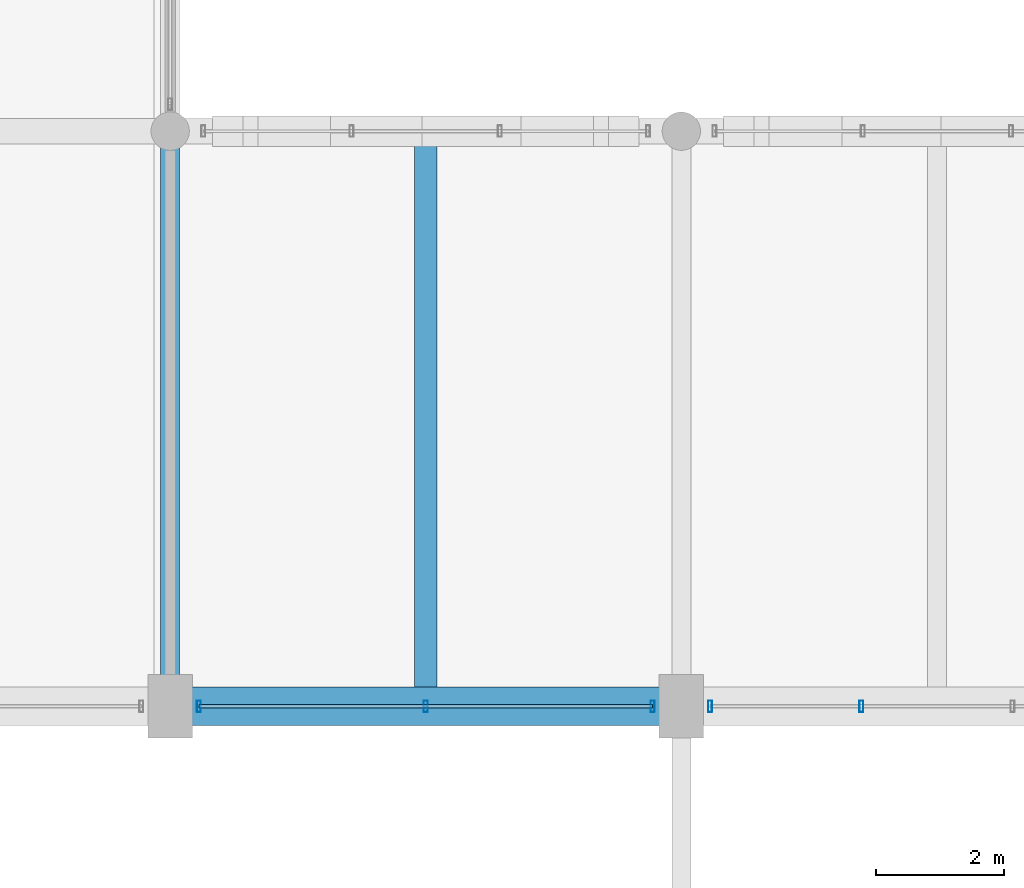
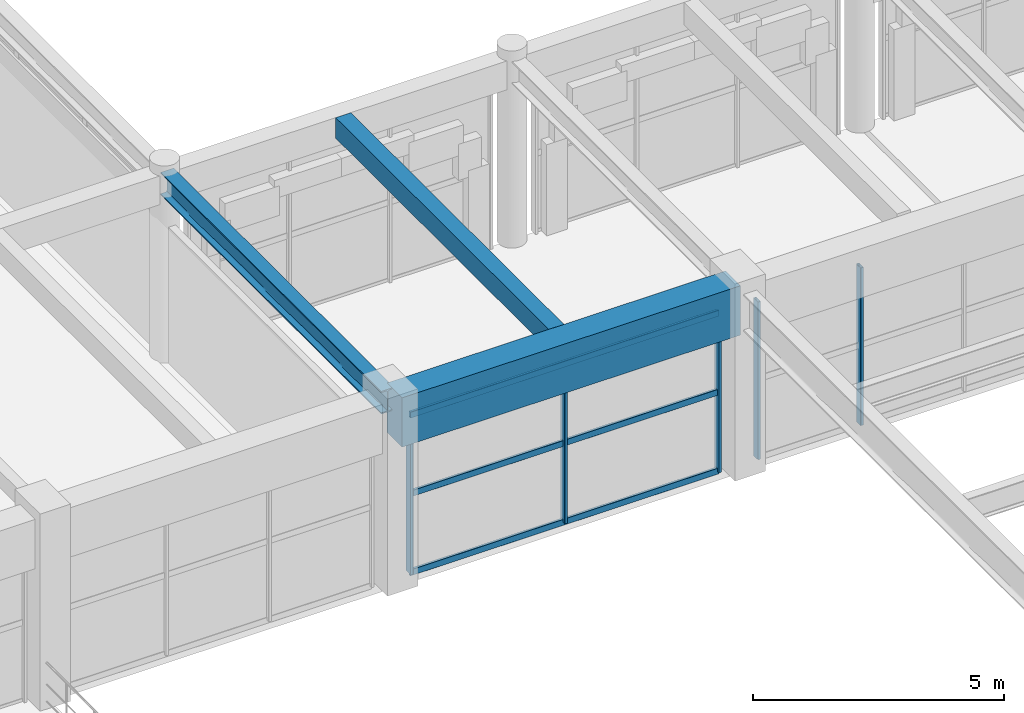
# One storey, part 44 of 144: 8 members, 3 beams, 2 elements without a shape of their own.
"""IFC4 building model written with IfcOpenShell, lengths in metres."""

import ifcopenshell
import ifcopenshell.guid

model = None  # the IFC model being written
_history = None  # IfcOwnerHistory: only IFC2X3 demands one
_inside = {}  # id of a spatial element -> (the spatial element, [elements in it])
_under = {}  # id of a project, library or spatial element -> (it, [spatial elements below it])
_declared = {}  # id of a project -> (the project, [libraries it declares])
_typed = {}  # id of a type object -> (the type object, [elements of that type])
_made_of = {}  # id of a material, layer set ... -> (it, [elements and type objects made of it])


def new_model(schema):
    """Start an empty IFC model of exactly this schema.

    Asked for "IFC4X3", IfcOpenShell would pick the latest addendum, in which some entities
    have other attributes; the version numbers below select the first issue.
    IFC2X3 requires an IfcOwnerHistory on every rooted entity: one is made here for all.
    """
    global model, _history
    if schema == "IFC4X3":
        model = ifcopenshell.file(schema_version=(4, 3, 0, 0))
    else:
        model = ifcopenshell.file(schema=schema)
    _inside.clear()
    _under.clear()
    _declared.clear()
    _typed.clear()
    _made_of.clear()
    _history = None
    if model.schema == "IFC2X3":
        org = make("IfcOrganization", Name="unknown")
        user = make(
            "IfcPersonAndOrganization",
            ThePerson=make("IfcPerson", FamilyName="unknown"),
            TheOrganization=org,
        )
        app = make(
            "IfcApplication",
            ApplicationDeveloper=org,
            Version="unknown",
            ApplicationFullName="unknown",
            ApplicationIdentifier="unknown",
        )
        _history = make(
            "IfcOwnerHistory",
            OwningUser=user,
            OwningApplication=app,
            ChangeAction="ADDED",
            CreationDate=0,
        )
    return model


def make(cls, **values):
    """One entity of the class cls with the attributes given. An attribute that is None is left unset."""
    return model.create_entity(
        cls, **{name: value for name, value in values.items() if value is not None}
    )


def rooted(cls, **values):
    """An entity with a GlobalId (a new one), such as an element, a storey or a relation."""
    return make(cls, GlobalId=ifcopenshell.guid.new(), OwnerHistory=_history, **values)


def si_unit(unit_type, name, prefix=None):
    """IfcSIUnit, for example si_unit("LENGTHUNIT", "METRE", prefix="MILLI")."""
    return make("IfcSIUnit", UnitType=unit_type, Prefix=prefix, Name=name)


def assignment(units):
    """IfcUnitAssignment: the units of a project."""
    return None if units is None else make("IfcUnitAssignment", Units=units)


def point(xyz):
    """IfcCartesianPoint."""
    return None if xyz is None else make("IfcCartesianPoint", Coordinates=xyz)


def direction(xyz):
    """IfcDirection."""
    return None if xyz is None else make("IfcDirection", DirectionRatios=xyz)


def frame(location, z_axis=None, x_axis=None):
    """IfcAxis2Placement3D, a coordinate frame: its origin and axes. An axis left out is left unset."""
    return make(
        "IfcAxis2Placement3D",
        Location=point(location),
        Axis=direction(z_axis),
        RefDirection=direction(x_axis),
    )


def frame_2d(location, x_axis=None):
    """IfcAxis2Placement2D, a coordinate frame in the plane: its origin and x axis."""
    return make(
        "IfcAxis2Placement2D", Location=point(location), RefDirection=direction(x_axis)
    )


def origin():
    """The frame at (0, 0, 0) with its axes left unset."""
    return frame((0.0, 0.0, 0.0))


def origin_2d():
    """The frame at (0, 0) in the plane with its x axis left unset."""
    return frame_2d((0.0, 0.0))


def place(relative_to, where):
    """IfcLocalPlacement: puts the frame where relative to a parent placement (None: the world)."""
    return make(
        "IfcLocalPlacement", PlacementRelTo=relative_to, RelativePlacement=where
    )


def context(
    kind, dimensions, precision=None, world=None, true_north=None, identifier=None
):
    """IfcGeometricRepresentationContext, for example the 3D "Model" context."""
    return make(
        "IfcGeometricRepresentationContext",
        ContextIdentifier=identifier,
        ContextType=kind,
        CoordinateSpaceDimension=dimensions,
        Precision=precision,
        WorldCoordinateSystem=world,
        TrueNorth=true_north,
    )


def subcontext(parent, identifier, kind, view, scale=None):
    """IfcGeometricRepresentationSubContext, for example "Body" below "Model"."""
    return make(
        "IfcGeometricRepresentationSubContext",
        ContextIdentifier=identifier,
        ContextType=kind,
        ParentContext=parent,
        TargetScale=scale,
        TargetView=view,
    )


def project(units=None, contexts=None):
    """IfcProject with its units and contexts."""
    return rooted(
        "IfcProject",
        Name="project",
        RepresentationContexts=contexts,
        UnitsInContext=assignment(units),
    )


def spatial(cls, under=None, at=None, **own):
    """A site, building, storey or space (cls), placed at a placement, below another one or the project."""
    s = rooted(cls, ObjectPlacement=at, **own)
    if under is not None:
        _under.setdefault(under.id(), (under, []))[1].append(s)
    return s


def profile(cls, at=None, kind="AREA", **sizes):
    """A parametric profile (cls). Its sizes go by their IFC names, for example OverallWidth=200.0."""
    return make(cls, ProfileType=kind, Position=at, **sizes)


def rectangle(**sizes):
    """IfcRectangleProfileDef."""
    return profile("IfcRectangleProfileDef", **sizes)


def hollow_rectangle(**sizes):
    """IfcRectangleHollowProfileDef."""
    return profile("IfcRectangleHollowProfileDef", **sizes)


def i_section(**sizes):
    """IfcIShapeProfileDef."""
    return profile("IfcIShapeProfileDef", **sizes)


def extrude(swept, where, along, depth):
    """IfcExtrudedAreaSolid: the profile swept, set in the frame where, extruded along a direction by depth."""
    return make(
        "IfcExtrudedAreaSolid",
        SweptArea=swept,
        Position=where,
        ExtrudedDirection=direction(along),
        Depth=depth,
    )


def shape(context_of_items, identifier, shape_type, items):
    """IfcShapeRepresentation: the items that make up one representation, for example the "Body"."""
    return make(
        "IfcShapeRepresentation",
        ContextOfItems=context_of_items,
        RepresentationIdentifier=identifier,
        RepresentationType=shape_type,
        Items=items,
    )


def material(Name=None, Category=None):
    """IfcMaterial."""
    return make("IfcMaterial", Name=Name, Category=Category)


def material_profile(
    of_material, cross_section, Name=None, Category=None, Priority=None
):
    """IfcMaterialProfile: a cross section and its material."""
    return make(
        "IfcMaterialProfile",
        Name=Name,
        Material=of_material,
        Profile=cross_section,
        Priority=Priority,
        Category=Category,
    )


def profile_set(profiles, Name=None, composite=None):
    """IfcMaterialProfileSet."""
    return make(
        "IfcMaterialProfileSet",
        Name=Name,
        MaterialProfiles=profiles,
        CompositeProfile=composite,
    )


def made_of(thing, what):
    """Note that an element or type object is made of a material, layer set ...; save() writes the relation."""
    if what is not None:
        _made_of.setdefault(what.id(), (what, []))[1].append(thing)
    return thing


def type_object(cls, material=None, **own):
    """A type object (cls), such as IfcWallType, which elements share."""
    return made_of(rooted(cls, **own), material)


def element(
    cls,
    number,
    at=None,
    inside=None,
    cuts=None,
    type_object=None,
    material=None,
    context=None,
    identifier="Body",
    shape_type=None,
    held_by="IfcProductDefinitionShape",
    body=None,
    shapes=None,
    **own,
):
    """One element of the class cls, such as IfcWall. Its Tag is "e" and its number.

    at: its placement. inside: the storey or other place that contains it. cuts: it is an
    opening in that element (IfcRelVoidsElement). A single representation is given by context,
    identifier, shape_type and body (its items); several are given by shapes. held_by: the class
    of the entity that holds the representations. save() writes the other relations.
    """
    e = rooted(cls, Tag="e%d" % number, ObjectPlacement=at, **own)
    if body is not None:
        shapes = [shape(context, identifier, shape_type, body)]
    if shapes is not None:
        e.Representation = make(held_by, Representations=shapes)
    if inside is not None:
        _inside.setdefault(inside.id(), (inside, []))[1].append(e)
    if cuts is not None:
        rooted(
            "IfcRelVoidsElement", RelatingBuildingElement=cuts, RelatedOpeningElement=e
        )
    if type_object is not None:
        _typed.setdefault(type_object.id(), (type_object, []))[1].append(e)
    return made_of(e, material)


def aggregate(whole, parts):
    """IfcRelAggregates: a whole, such as a stair, and the parts it consists of."""
    return rooted("IfcRelAggregates", RelatingObject=whole, RelatedObjects=parts)


def save(model, path):
    """Write the relations noted so far, then the file.

    IfcRelAggregates (storeys below a building ...), IfcRelContainedInSpatialStructure (elements
    in a storey), IfcRelDefinesByType, IfcRelAssociatesMaterial and IfcRelDeclares: one each for
    every whole, place, type object, material and project.
    """
    for whole, parts in _under.values():
        aggregate(whole, parts)
    for where, things in _inside.values():
        rooted(
            "IfcRelContainedInSpatialStructure",
            RelatedElements=things,
            RelatingStructure=where,
        )
    for kind, things in _typed.values():
        rooted("IfcRelDefinesByType", RelatedObjects=things, RelatingType=kind)
    for what, things in _made_of.values():
        rooted("IfcRelAssociatesMaterial", RelatedObjects=things, RelatingMaterial=what)
    for by, libraries in _declared.values():
        rooted("IfcRelDeclares", RelatingContext=by, RelatedDefinitions=libraries)
    model.write(path)


model = new_model("IFC4")

# Units and contexts
model_context = context("Model", 3, precision=1e-05, world=origin(), true_north=direction((0.0, 1.0)))
body_context = subcontext(model_context, "Body", "Model", "MODEL_VIEW")
ifc_project = project(units=[si_unit("LENGTHUNIT", "METRE"), si_unit("AREAUNIT", "SQUARE_METRE"), si_unit("VOLUMEUNIT", "CUBIC_METRE"), si_unit("PLANEANGLEUNIT", "RADIAN"), si_unit("MASSUNIT", "GRAM", prefix="KILO")], contexts=[model_context])

# Site, building, storey
site_placement = place(None, origin())
site = spatial("IfcSite", under=ifc_project, at=site_placement, CompositionType="ELEMENT")
building_placement = place(site_placement, origin())
building = spatial("IfcBuilding", under=site, at=building_placement, Name="Varnabhumi Central Station", CompositionType="ELEMENT")
storey_placement = place(building_placement, frame((0.0, 0.0, 4.800048828125)))
storey = spatial("IfcBuildingStorey", under=building, at=storey_placement, Name="L01", CompositionType="ELEMENT", Elevation=4.800048828125)

# Beams
ifc_material_1 = material(Name="Concrete M50", Category="concrete")
ifc_material_profile_1 = material_profile(ifc_material_1, rectangle(XDim=0.60009765625, YDim=1.199951171875, at=origin_2d()), Name="Concrete M50", Category="concrete")
ifc_profile_set_1 = profile_set([ifc_material_profile_1], Name="Concrete M50")
beam_type_1 = type_object("IfcBeamType", Name="BM-RC-1200x600", PredefinedType="BEAM", material=ifc_profile_set_1)
beam_1_placement = place(storey_placement, frame((48.10009765625, 80.0, 3.949951171875), z_axis=(1.0, 0.0, 0.0), x_axis=(0.0, 1.0, 0.0)))
element("IfcBeam", 1, at=beam_1_placement, inside=storey, type_object=beam_type_1, Name="Beam L01-K:7-8", PredefinedType="BEAM", context=body_context, shape_type="SweptSolid", body=[
    extrude(rectangle(XDim=0.60009765625, YDim=1.199951171875, at=origin_2d()), origin(), (0.0, 0.0, 1.0), 7.7998046875),
])
ifc_material_2 = material(Name="Concrete M40", Category="concrete")
ifc_material_profile_2 = material_profile(ifc_material_2, rectangle(XDim=0.35009765625, YDim=0.5, at=origin_2d()), Name="Concrete M40", Category="concrete")
ifc_profile_set_2 = profile_set([ifc_material_profile_2], Name="Concrete M40")
beam_type_2 = type_object("IfcBeamType", Name="BM-RC-350x500", PredefinedType="JOIST", material=ifc_profile_set_2)
beam_2_placement = place(storey_placement, frame((52.0, 80.300048828125, 4.300048828125), z_axis=(0.0, 1.0, 0.0), x_axis=(-1.0, 0.0, 0.0)))
element("IfcBeam", 2, at=beam_2_placement, inside=storey, type_object=beam_type_2, Name="Secondary Joist L01-7/8:K-L", PredefinedType="JOIST", context=body_context, shape_type="SweptSolid", body=[
    extrude(rectangle(XDim=0.35009765625, YDim=0.5, at=origin_2d()), origin(), (0.0, 0.0, 1.0), 8.5),
])
ifc_material_3 = material(Name="Structural steel E350", Category="steel")
ifc_material_profile_3 = material_profile(ifc_material_3, i_section(OverallWidth=0.300048828125, OverallDepth=0.550048828125, WebThickness=0.014892578125, FlangeThickness=0.029052734375, FilletRadius=0.027099609375, at=origin_2d()), Name="Structural steel E350", Category="steel")
ifc_profile_set_3 = profile_set([ifc_material_profile_3], Name="Structural steel E350")
beam_type_3 = type_object("IfcBeamType", Name="BM-STL-WPB550", PredefinedType="BEAM", material=ifc_profile_set_3)
beam_3_placement = place(storey_placement, frame((48.0, 80.10009765625, 4.27490234375), z_axis=(0.0, 1.0, 0.0), x_axis=(-1.0, 0.0, 0.0)))
element("IfcBeam", 3, at=beam_3_placement, inside=storey, type_object=beam_type_3, Name="Beam L01-7:K-L", PredefinedType="BEAM", context=body_context, shape_type="SweptSolid", body=[
    extrude(i_section(OverallWidth=0.300048828125, OverallDepth=0.550048828125, WebThickness=0.014892578125, FlangeThickness=0.029052734375, FilletRadius=0.027099609375, at=origin_2d()), origin(), (0.0, 0.0, 1.0), 8.7998046875),
])

# Curtain wall, members
ifc_material_4 = material(Name="Anodised aluminium 6063-T6", Category="aluminium")
curtain_wall_type_1 = type_object("IfcCurtainWallType", Name="CW-SPINE-SCREEN-L0", PredefinedType="NOTDEFINED", material=ifc_material_4)
curtain_wall_1_placement = place(storey_placement, origin())
curtain_wall_1 = element("IfcCurtainWall", 4, at=curtain_wall_1_placement, inside=storey, type_object=curtain_wall_type_1, Name="Curtain Wall CW-NS106", PredefinedType="NOTDEFINED")
ifc_material_profile_4 = material_profile(ifc_material_4, hollow_rectangle(XDim=0.06494140625, YDim=0.179931640625, WallThickness=0.00390625, InnerFilletRadius=0.001953125, OuterFilletRadius=0.006103515625, at=origin_2d()), Name="Anodised aluminium 6063-T6", Category="aluminium")
ifc_profile_set_4 = profile_set([ifc_material_profile_4], Name="Anodised aluminium 6063-T6")
member_type_1 = type_object("IfcMemberType", Name="CW-MUL-180", PredefinedType="MULLION", material=ifc_profile_set_4)
member_1_placement = place(storey_placement, frame((48.449951171875, 80.0, 0.0), z_axis=(0.0, 0.0, 1.0), x_axis=(1.0, 0.0, 0.0)))
member_1 = element("IfcMember", 5, at=member_1_placement, type_object=member_type_1, Name="Curtain Wall Mullion CW-NS106-M1", PredefinedType="MULLION", context=body_context, shape_type="SweptSolid", body=[
    extrude(hollow_rectangle(XDim=0.06494140625, YDim=0.179931640625, WallThickness=0.00390625, InnerFilletRadius=0.001953125, OuterFilletRadius=0.006103515625, at=origin_2d()), origin(), (0.0, 0.0, 1.0), 3.83984375),
])
member_2_placement = place(storey_placement, frame((52.0, 80.0, 0.0), z_axis=(0.0, 0.0, 1.0), x_axis=(1.0, 0.0, 0.0)))
member_2 = element("IfcMember", 6, at=member_2_placement, type_object=member_type_1, Name="Curtain Wall Mullion CW-NS106-M2", PredefinedType="MULLION", context=body_context, shape_type="SweptSolid", body=[
    extrude(hollow_rectangle(XDim=0.06494140625, YDim=0.179931640625, WallThickness=0.00390625, InnerFilletRadius=0.001953125, OuterFilletRadius=0.006103515625, at=origin_2d()), origin(), (0.0, 0.0, 1.0), 3.83984375),
])
member_3_placement = place(storey_placement, frame((55.550048828125, 80.0, 0.0), z_axis=(0.0, 0.0, 1.0), x_axis=(1.0, 0.0, 0.0)))
member_3 = element("IfcMember", 7, at=member_3_placement, type_object=member_type_1, Name="Curtain Wall Mullion CW-NS106-M3", PredefinedType="MULLION", context=body_context, shape_type="SweptSolid", body=[
    extrude(hollow_rectangle(XDim=0.06494140625, YDim=0.179931640625, WallThickness=0.00390625, InnerFilletRadius=0.001953125, OuterFilletRadius=0.006103515625, at=origin_2d()), origin(), (0.0, 0.0, 1.0), 3.83984375),
])

curtain_wall_type_2 = type_object("IfcCurtainWallType", Name="CW-STREET-PORTAL", PredefinedType="NOTDEFINED", material=ifc_material_4)
curtain_wall_2_placement = place(storey_placement, origin())
curtain_wall_2 = element("IfcCurtainWall", 8, at=curtain_wall_2_placement, inside=storey, type_object=curtain_wall_type_2, Name="Curtain Wall CW-NSP107", PredefinedType="NOTDEFINED")
member_4_placement = place(storey_placement, frame((56.449951171875, 80.0, 0.0), z_axis=(0.0, 0.0, 1.0), x_axis=(1.0, 0.0, 0.0)))
member_4 = element("IfcMember", 9, at=member_4_placement, type_object=member_type_1, Name="Curtain Wall Mullion CW-NSP107-M1", PredefinedType="MULLION", context=body_context, shape_type="SweptSolid", body=[
    extrude(hollow_rectangle(XDim=0.06494140625, YDim=0.179931640625, WallThickness=0.00390625, InnerFilletRadius=0.001953125, OuterFilletRadius=0.006103515625, at=origin_2d()), origin(), (0.0, 0.0, 1.0), 3.83984375),
])
member_5_placement = place(storey_placement, frame((58.816650390625, 80.0, 0.0), z_axis=(0.0, 0.0, 1.0), x_axis=(1.0, 0.0, 0.0)))
member_5 = element("IfcMember", 10, at=member_5_placement, type_object=member_type_1, Name="Curtain Wall Mullion CW-NSP107-M2", PredefinedType="MULLION", context=body_context, shape_type="SweptSolid", body=[
    extrude(hollow_rectangle(XDim=0.06494140625, YDim=0.179931640625, WallThickness=0.00390625, InnerFilletRadius=0.001953125, OuterFilletRadius=0.006103515625, at=origin_2d()), origin(), (0.0, 0.0, 1.0), 3.83984375),
])
aggregate(curtain_wall_2, [member_4, member_5])

# Member
ifc_material_profile_5 = material_profile(ifc_material_4, hollow_rectangle(XDim=0.06005859375, YDim=0.14990234375, WallThickness=0.00390625, InnerFilletRadius=0.001953125, OuterFilletRadius=0.006103515625, at=origin_2d()), Name="Anodised aluminium 6063-T6", Category="aluminium")
ifc_profile_set_5 = profile_set([ifc_material_profile_5], Name="Anodised aluminium 6063-T6")
member_type_2 = type_object("IfcMemberType", Name="CW-TR-150", PredefinedType="USERDEFINED", material=ifc_profile_set_5)
member_6_placement = place(storey_placement, frame((48.449951171875, 80.0, 0.0), z_axis=(1.0, 0.0, 0.0), x_axis=(0.0, 1.0, 0.0)))
member_6 = element("IfcMember", 11, at=member_6_placement, type_object=member_type_2, Name="Curtain Wall Transom CW-NS106-T1", ObjectType="TRANSOM", PredefinedType="USERDEFINED", context=body_context, shape_type="SweptSolid", body=[
    extrude(hollow_rectangle(XDim=0.06005859375, YDim=0.14990234375, WallThickness=0.00390625, InnerFilletRadius=0.001953125, OuterFilletRadius=0.006103515625, at=origin_2d()), origin(), (0.0, 0.0, 1.0), 7.10009765625),
])

member_7_placement = place(storey_placement, frame((48.449951171875, 80.0, 1.919921875), z_axis=(1.0, 0.0, 0.0), x_axis=(0.0, 1.0, 0.0)))
member_7 = element("IfcMember", 12, at=member_7_placement, type_object=member_type_2, Name="Curtain Wall Transom CW-NS106-T2", ObjectType="TRANSOM", PredefinedType="USERDEFINED", context=body_context, shape_type="SweptSolid", body=[
    extrude(hollow_rectangle(XDim=0.06005859375, YDim=0.14990234375, WallThickness=0.00390625, InnerFilletRadius=0.001953125, OuterFilletRadius=0.006103515625, at=origin_2d()), origin(), (0.0, 0.0, 1.0), 7.10009765625),
])

member_8_placement = place(storey_placement, frame((48.449951171875, 80.0, 3.83984375), z_axis=(1.0, 0.0, 0.0), x_axis=(0.0, 1.0, 0.0)))
member_8 = element("IfcMember", 13, at=member_8_placement, type_object=member_type_2, Name="Curtain Wall Transom CW-NS106-T3", ObjectType="TRANSOM", PredefinedType="USERDEFINED", context=body_context, shape_type="SweptSolid", body=[
    extrude(hollow_rectangle(XDim=0.06005859375, YDim=0.14990234375, WallThickness=0.00390625, InnerFilletRadius=0.001953125, OuterFilletRadius=0.006103515625, at=origin_2d()), origin(), (0.0, 0.0, 1.0), 7.10009765625),
])

aggregate(curtain_wall_1, [member_1, member_2, member_3, member_6, member_7, member_8])

save(model, "model.ifc")
